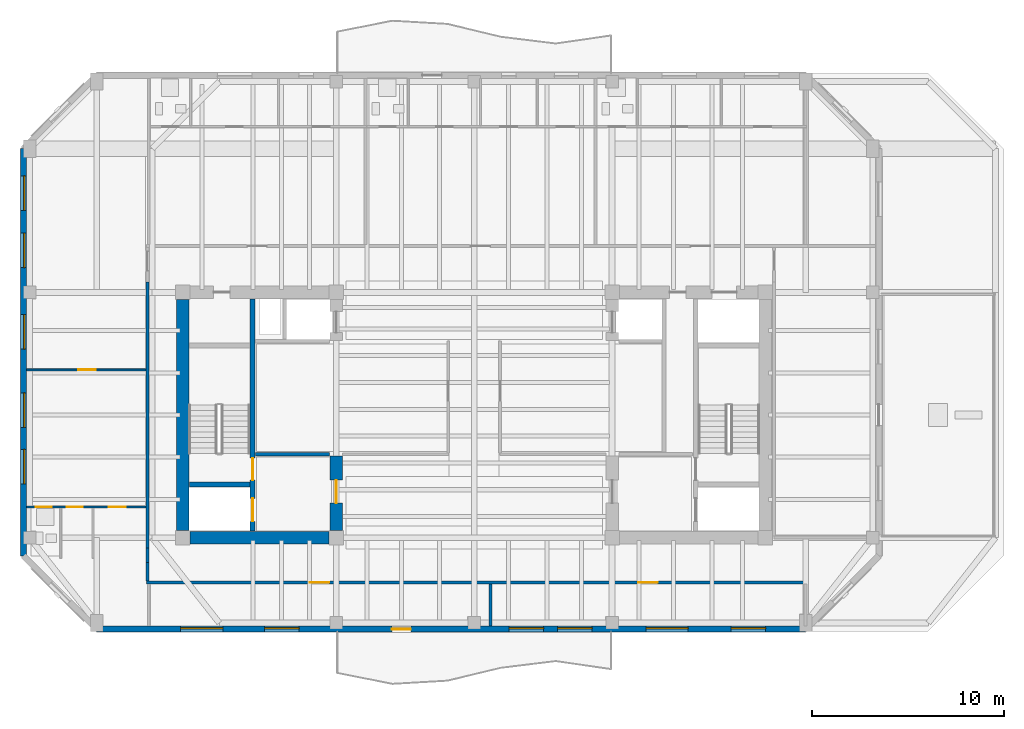
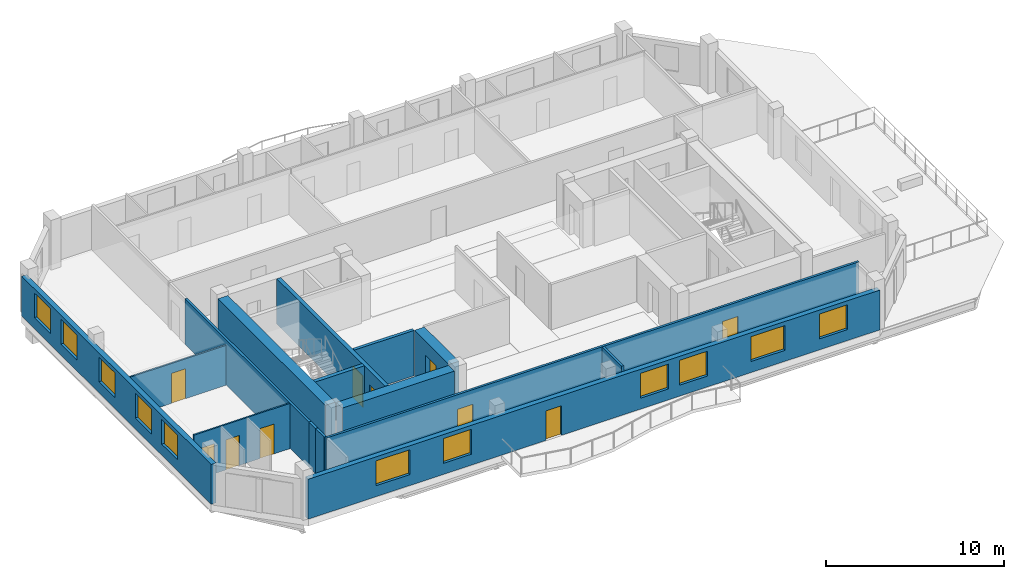
# One storey, part 3 of 10: 15 walls, 11 windows, 10 doors, 21 openings.
"""IFC4 building model written with IfcOpenShell, lengths in metres."""

import ifcopenshell
import ifcopenshell.guid

model = None  # the IFC model being written
_history = None  # IfcOwnerHistory: only IFC2X3 demands one
_inside = {}  # id of a spatial element -> (the spatial element, [elements in it])
_under = {}  # id of a project, library or spatial element -> (it, [spatial elements below it])
_declared = {}  # id of a project -> (the project, [libraries it declares])
_typed = {}  # id of a type object -> (the type object, [elements of that type])
_made_of = {}  # id of a material, layer set ... -> (it, [elements and type objects made of it])


def new_model(schema):
    """Start an empty IFC model of exactly this schema.

    Asked for "IFC4X3", IfcOpenShell would pick the latest addendum, in which some entities
    have other attributes; the version numbers below select the first issue.
    IFC2X3 requires an IfcOwnerHistory on every rooted entity: one is made here for all.
    """
    global model, _history
    if schema == "IFC4X3":
        model = ifcopenshell.file(schema_version=(4, 3, 0, 0))
    else:
        model = ifcopenshell.file(schema=schema)
    _inside.clear()
    _under.clear()
    _declared.clear()
    _typed.clear()
    _made_of.clear()
    _history = None
    if model.schema == "IFC2X3":
        org = make("IfcOrganization", Name="unknown")
        user = make(
            "IfcPersonAndOrganization",
            ThePerson=make("IfcPerson", FamilyName="unknown"),
            TheOrganization=org,
        )
        app = make(
            "IfcApplication",
            ApplicationDeveloper=org,
            Version="unknown",
            ApplicationFullName="unknown",
            ApplicationIdentifier="unknown",
        )
        _history = make(
            "IfcOwnerHistory",
            OwningUser=user,
            OwningApplication=app,
            ChangeAction="ADDED",
            CreationDate=0,
        )
    return model


def make(cls, **values):
    """One entity of the class cls with the attributes given. An attribute that is None is left unset."""
    return model.create_entity(
        cls, **{name: value for name, value in values.items() if value is not None}
    )


def rooted(cls, **values):
    """An entity with a GlobalId (a new one), such as an element, a storey or a relation."""
    return make(cls, GlobalId=ifcopenshell.guid.new(), OwnerHistory=_history, **values)


def si_unit(unit_type, name, prefix=None):
    """IfcSIUnit, for example si_unit("LENGTHUNIT", "METRE", prefix="MILLI")."""
    return make("IfcSIUnit", UnitType=unit_type, Prefix=prefix, Name=name)


def assignment(units):
    """IfcUnitAssignment: the units of a project."""
    return None if units is None else make("IfcUnitAssignment", Units=units)


def point(xyz):
    """IfcCartesianPoint."""
    return None if xyz is None else make("IfcCartesianPoint", Coordinates=xyz)


def direction(xyz):
    """IfcDirection."""
    return None if xyz is None else make("IfcDirection", DirectionRatios=xyz)


def frame(location, z_axis=None, x_axis=None):
    """IfcAxis2Placement3D, a coordinate frame: its origin and axes. An axis left out is left unset."""
    return make(
        "IfcAxis2Placement3D",
        Location=point(location),
        Axis=direction(z_axis),
        RefDirection=direction(x_axis),
    )


def frame_2d(location, x_axis=None):
    """IfcAxis2Placement2D, a coordinate frame in the plane: its origin and x axis."""
    return make(
        "IfcAxis2Placement2D", Location=point(location), RefDirection=direction(x_axis)
    )


def origin():
    """The frame at (0, 0, 0) with its axes left unset."""
    return frame((0.0, 0.0, 0.0))


def place(relative_to, where):
    """IfcLocalPlacement: puts the frame where relative to a parent placement (None: the world)."""
    return make(
        "IfcLocalPlacement", PlacementRelTo=relative_to, RelativePlacement=where
    )


def context(
    kind, dimensions, precision=None, world=None, true_north=None, identifier=None
):
    """IfcGeometricRepresentationContext, for example the 3D "Model" context."""
    return make(
        "IfcGeometricRepresentationContext",
        ContextIdentifier=identifier,
        ContextType=kind,
        CoordinateSpaceDimension=dimensions,
        Precision=precision,
        WorldCoordinateSystem=world,
        TrueNorth=true_north,
    )


def subcontext(parent, identifier, kind, view, scale=None):
    """IfcGeometricRepresentationSubContext, for example "Body" below "Model"."""
    return make(
        "IfcGeometricRepresentationSubContext",
        ContextIdentifier=identifier,
        ContextType=kind,
        ParentContext=parent,
        TargetScale=scale,
        TargetView=view,
    )


def project(units=None, contexts=None):
    """IfcProject with its units and contexts."""
    return rooted(
        "IfcProject",
        Name="project",
        RepresentationContexts=contexts,
        UnitsInContext=assignment(units),
    )


def spatial(cls, under=None, at=None, **own):
    """A site, building, storey or space (cls), placed at a placement, below another one or the project."""
    s = rooted(cls, ObjectPlacement=at, **own)
    if under is not None:
        _under.setdefault(under.id(), (under, []))[1].append(s)
    return s


def profile(cls, at=None, kind="AREA", **sizes):
    """A parametric profile (cls). Its sizes go by their IFC names, for example OverallWidth=200.0."""
    return make(cls, ProfileType=kind, Position=at, **sizes)


def rectangle(**sizes):
    """IfcRectangleProfileDef."""
    return profile("IfcRectangleProfileDef", **sizes)


def extrude(swept, where, along, depth):
    """IfcExtrudedAreaSolid: the profile swept, set in the frame where, extruded along a direction by depth."""
    return make(
        "IfcExtrudedAreaSolid",
        SweptArea=swept,
        Position=where,
        ExtrudedDirection=direction(along),
        Depth=depth,
    )


def shape(context_of_items, identifier, shape_type, items):
    """IfcShapeRepresentation: the items that make up one representation, for example the "Body"."""
    return make(
        "IfcShapeRepresentation",
        ContextOfItems=context_of_items,
        RepresentationIdentifier=identifier,
        RepresentationType=shape_type,
        Items=items,
    )


def material(Name=None, Category=None):
    """IfcMaterial."""
    return make("IfcMaterial", Name=Name, Category=Category)


def layer(
    of_material, thickness, ventilated=None, Name=None, Category=None, Priority=None
):
    """IfcMaterialLayer: one layer of a wall or slab, of a material (None: an air gap)."""
    return make(
        "IfcMaterialLayer",
        Material=of_material,
        LayerThickness=thickness,
        IsVentilated=ventilated,
        Name=Name,
        Category=Category,
        Priority=Priority,
    )


def layer_set(layers, Name=None):
    """IfcMaterialLayerSet."""
    return make("IfcMaterialLayerSet", MaterialLayers=layers, LayerSetName=Name)


def made_of(thing, what):
    """Note that an element or type object is made of a material, layer set ...; save() writes the relation."""
    if what is not None:
        _made_of.setdefault(what.id(), (what, []))[1].append(thing)
    return thing


def type_object(cls, material=None, **own):
    """A type object (cls), such as IfcWallType, which elements share."""
    return made_of(rooted(cls, **own), material)


def element(
    cls,
    number,
    at=None,
    inside=None,
    cuts=None,
    type_object=None,
    material=None,
    context=None,
    identifier="Body",
    shape_type=None,
    held_by="IfcProductDefinitionShape",
    body=None,
    shapes=None,
    **own,
):
    """One element of the class cls, such as IfcWall. Its Tag is "e" and its number.

    at: its placement. inside: the storey or other place that contains it. cuts: it is an
    opening in that element (IfcRelVoidsElement). A single representation is given by context,
    identifier, shape_type and body (its items); several are given by shapes. held_by: the class
    of the entity that holds the representations. save() writes the other relations.
    """
    e = rooted(cls, Tag="e%d" % number, ObjectPlacement=at, **own)
    if body is not None:
        shapes = [shape(context, identifier, shape_type, body)]
    if shapes is not None:
        e.Representation = make(held_by, Representations=shapes)
    if inside is not None:
        _inside.setdefault(inside.id(), (inside, []))[1].append(e)
    if cuts is not None:
        rooted(
            "IfcRelVoidsElement", RelatingBuildingElement=cuts, RelatedOpeningElement=e
        )
    if type_object is not None:
        _typed.setdefault(type_object.id(), (type_object, []))[1].append(e)
    return made_of(e, material)


def fill(opening, filler):
    """IfcRelFillsElement: the door or window that sits in an opening."""
    return rooted(
        "IfcRelFillsElement",
        RelatingOpeningElement=opening,
        RelatedBuildingElement=filler,
    )


def aggregate(whole, parts):
    """IfcRelAggregates: a whole, such as a stair, and the parts it consists of."""
    return rooted("IfcRelAggregates", RelatingObject=whole, RelatedObjects=parts)


def save(model, path):
    """Write the relations noted so far, then the file.

    IfcRelAggregates (storeys below a building ...), IfcRelContainedInSpatialStructure (elements
    in a storey), IfcRelDefinesByType, IfcRelAssociatesMaterial and IfcRelDeclares: one each for
    every whole, place, type object, material and project.
    """
    for whole, parts in _under.values():
        aggregate(whole, parts)
    for where, things in _inside.values():
        rooted(
            "IfcRelContainedInSpatialStructure",
            RelatedElements=things,
            RelatingStructure=where,
        )
    for kind, things in _typed.values():
        rooted("IfcRelDefinesByType", RelatedObjects=things, RelatingType=kind)
    for what, things in _made_of.values():
        rooted("IfcRelAssociatesMaterial", RelatedObjects=things, RelatingMaterial=what)
    for by, libraries in _declared.values():
        rooted("IfcRelDeclares", RelatingContext=by, RelatedDefinitions=libraries)
    model.write(path)


model = new_model("IFC4")

# Units and contexts
model_context = context("Model", 3, precision=1e-05, world=origin(), true_north=direction((0.0, 1.0)))
body_context = subcontext(model_context, "Body", "Model", "MODEL_VIEW")
ifc_project = project(units=[si_unit("LENGTHUNIT", "METRE"), si_unit("AREAUNIT", "SQUARE_METRE"), si_unit("VOLUMEUNIT", "CUBIC_METRE"), si_unit("PLANEANGLEUNIT", "RADIAN"), si_unit("MASSUNIT", "GRAM", prefix="KILO")], contexts=[model_context])

# Site, building, storey
site_placement = place(None, origin())
site = spatial("IfcSite", under=ifc_project, at=site_placement, CompositionType="ELEMENT")
building_placement = place(site_placement, origin())
building = spatial("IfcBuilding", under=site, at=building_placement, Name="Kranthara Brick Stack", CompositionType="ELEMENT")
storey_placement = place(building_placement, frame((0.0, 0.0, 268.699951171875)))
storey = spatial("IfcBuildingStorey", under=building, at=storey_placement, Name="L71", CompositionType="ELEMENT", Elevation=268.699951171875)

# Wall, openings, door, windows
ifc_material_1 = material(Name="Warm buff clay brick masonry M15", Category="masonry")
ifc_layer_1 = layer(ifc_material_1, 0.320068359375)
ifc_layer_set_1 = layer_set([ifc_layer_1], Name="Warm buff clay brick masonry M15")
wall_type_1 = type_object("IfcWallType", Name="WL-BRK-UPPR-320", PredefinedType="STANDARD", material=ifc_layer_set_1)
wall_1_placement = place(storey_placement, frame((45.300048828125, 16.030029296875, 0.0), z_axis=(0.0, 0.0, 1.0), x_axis=(-1.0, 0.0, 0.0)))
wall_1 = element("IfcWall", 1, at=wall_1_placement, inside=storey, type_object=wall_type_1, Name="L71 Exterior Brick Facade Wall SOUTH 1", PredefinedType="STANDARD", context=body_context, shape_type="SweptSolid", body=[
    extrude(rectangle(XDim=37.0, YDim=0.320068359375, at=frame_2d((18.5, 0.0))), origin(), (0.0, 0.0, 1.0), 2.72509765625),
])
opening_1_placement = place(wall_1_placement, frame((20.60009765625, 0.0, 0.0)))
opening_1 = element("IfcOpeningElement", 2, at=opening_1_placement, cuts=wall_1, Name="Opening D03", PredefinedType="OPENING", context=body_context, shape_type="SweptSolid", body=[
    extrude(rectangle(XDim=1.0, YDim=2.02001953125, at=frame_2d((0.5, 1.010009765625))), frame((0.0, 0.169921875, 0.0), z_axis=(0.0, -1.0, 0.0), x_axis=(1.0, 0.0, 0.0)), (0.0, 0.0, 1.0), 0.340087890625),
])
opening_2_placement = place(wall_1_placement, frame((2.093994140625, 0.0, 0.75)))
opening_2 = element("IfcOpeningElement", 3, at=opening_2_placement, cuts=wall_1, Name="Opening WN07", PredefinedType="OPENING", context=body_context, shape_type="SweptSolid", body=[
    extrude(rectangle(XDim=1.800048828125, YDim=1.699951171875, at=frame_2d((0.89990234375, 0.85009765625))), frame((0.0, 0.169921875, 0.0), z_axis=(0.0, -1.0, 0.0), x_axis=(1.0, 0.0, 0.0)), (0.0, 0.0, 1.0), 0.340087890625),
])
opening_3_placement = place(wall_1_placement, frame((6.1298828125, 0.0, 0.75)))
opening_3 = element("IfcOpeningElement", 4, at=opening_3_placement, cuts=wall_1, Name="Opening WN08", PredefinedType="OPENING", context=body_context, shape_type="SweptSolid", body=[
    extrude(rectangle(XDim=2.199951171875, YDim=1.699951171875, at=frame_2d((1.10009765625, 0.85009765625))), frame((0.0, 0.169921875, 0.0), z_axis=(0.0, -1.0, 0.0), x_axis=(1.0, 0.0, 0.0)), (0.0, 0.0, 1.0), 0.340087890625),
])
opening_4_placement = place(wall_1_placement, frame((11.14794921875, 0.0, 0.75)))
opening_4 = element("IfcOpeningElement", 5, at=opening_4_placement, cuts=wall_1, Name="Opening WN07", PredefinedType="OPENING", context=body_context, shape_type="SweptSolid", body=[
    extrude(rectangle(XDim=1.800048828125, YDim=1.699951171875, at=frame_2d((0.89990234375, 0.85009765625))), frame((0.0, 0.169921875, 0.0), z_axis=(0.0, -1.0, 0.0), x_axis=(1.0, 0.0, 0.0)), (0.0, 0.0, 1.0), 0.340087890625),
])
opening_5_placement = place(wall_1_placement, frame((13.680908203125, 0.0, 0.75)))
opening_5 = element("IfcOpeningElement", 6, at=opening_5_placement, cuts=wall_1, Name="Opening WN07", PredefinedType="OPENING", context=body_context, shape_type="SweptSolid", body=[
    extrude(rectangle(XDim=1.800048828125, YDim=1.699951171875, at=frame_2d((0.89990234375, 0.85009765625))), frame((0.0, 0.169921875, 0.0), z_axis=(0.0, -1.0, 0.0), x_axis=(1.0, 0.0, 0.0)), (0.0, 0.0, 1.0), 0.340087890625),
])
opening_6_placement = place(wall_1_placement, frame((26.43798828125, 0.0, 0.75)))
opening_6 = element("IfcOpeningElement", 7, at=opening_6_placement, cuts=wall_1, Name="Opening WN07", PredefinedType="OPENING", context=body_context, shape_type="SweptSolid", body=[
    extrude(rectangle(XDim=1.800048828125, YDim=1.699951171875, at=frame_2d((0.89990234375, 0.85009765625))), frame((0.0, 0.169921875, 0.0), z_axis=(0.0, -1.0, 0.0), x_axis=(1.0, 0.0, 0.0)), (0.0, 0.0, 1.0), 0.340087890625),
])
opening_7_placement = place(wall_1_placement, frame((30.4169921875, 0.0, 0.75)))
opening_7 = element("IfcOpeningElement", 8, at=opening_7_placement, cuts=wall_1, Name="Opening WN08", PredefinedType="OPENING", context=body_context, shape_type="SweptSolid", body=[
    extrude(rectangle(XDim=2.199951171875, YDim=1.699951171875, at=frame_2d((1.10009765625, 0.85009765625))), frame((0.0, 0.169921875, 0.0), z_axis=(0.0, -1.0, 0.0), x_axis=(1.0, 0.0, 0.0)), (0.0, 0.0, 1.0), 0.340087890625),
])
ifc_material_2 = material(Name="Bronze anodised aluminium and laminated glass", Category="aluminium")
door_type_1 = type_object("IfcDoorType", Name="DR-BALC-1000", OperationType="NOTDEFINED", PredefinedType="DOOR", material=ifc_material_2)
door_1_placement = place(opening_1_placement, origin())
door_1 = element("IfcDoor", 9, at=door_1_placement, inside=storey, type_object=door_type_1, Name="L71 South Balcony Terrace Door", OperationType="SINGLE_SWING_LEFT", OverallHeight=2.02001953125, OverallWidth=1.0, PredefinedType="DOOR", context=body_context, shape_type="SweptSolid", body=[
    extrude(rectangle(XDim=1.0, YDim=2.02001953125, at=frame_2d((0.5, 1.010009765625))), frame((0.0, 0.02490234375, 0.0), z_axis=(0.0, -1.0, 0.0), x_axis=(1.0, 0.0, 0.0)), (0.0, 0.0, 1.0), 0.050048828125),
])
fill(opening_1, door_1)
ifc_material_3 = material(Name="Double-glazed low-E solar control glass", Category="glass")
window_type_1 = type_object("IfcWindowType", Name="WN-RES-1800x1850", PartitioningType="DOUBLE_PANEL_VERTICAL", PredefinedType="WINDOW", material=ifc_material_3)
window_1_placement = place(opening_2_placement, origin())
window_1 = element("IfcWindow", 10, at=window_1_placement, inside=storey, type_object=window_type_1, Name="L71 South Deep-Set Brick Window 01", OverallHeight=1.699951171875, OverallWidth=1.800048828125, PartitioningType="SINGLE_PANEL", PredefinedType="WINDOW", context=body_context, shape_type="SweptSolid", body=[
    extrude(rectangle(XDim=1.800048828125, YDim=1.699951171875, at=frame_2d((0.89990234375, 0.85009765625))), frame((0.0, -0.010009765625, 0.0), z_axis=(0.0, -1.0, 0.0), x_axis=(1.0, 0.0, 0.0)), (0.0, 0.0, 1.0), 0.06005859375),
])
fill(opening_2, window_1)
window_2_placement = place(opening_4_placement, origin())
window_2 = element("IfcWindow", 11, at=window_2_placement, inside=storey, type_object=window_type_1, Name="L71 South Deep-Set Brick Window 03", OverallHeight=1.699951171875, OverallWidth=1.800048828125, PartitioningType="SINGLE_PANEL", PredefinedType="WINDOW", context=body_context, shape_type="SweptSolid", body=[
    extrude(rectangle(XDim=1.800048828125, YDim=1.699951171875, at=frame_2d((0.89990234375, 0.85009765625))), frame((0.0, -0.010009765625, 0.0), z_axis=(0.0, -1.0, 0.0), x_axis=(1.0, 0.0, 0.0)), (0.0, 0.0, 1.0), 0.06005859375),
])
fill(opening_4, window_2)
window_3_placement = place(opening_5_placement, origin())
window_3 = element("IfcWindow", 12, at=window_3_placement, inside=storey, type_object=window_type_1, Name="L71 South Deep-Set Brick Window 04", OverallHeight=1.699951171875, OverallWidth=1.800048828125, PartitioningType="SINGLE_PANEL", PredefinedType="WINDOW", context=body_context, shape_type="SweptSolid", body=[
    extrude(rectangle(XDim=1.800048828125, YDim=1.699951171875, at=frame_2d((0.89990234375, 0.85009765625))), frame((0.0, -0.010009765625, 0.0), z_axis=(0.0, -1.0, 0.0), x_axis=(1.0, 0.0, 0.0)), (0.0, 0.0, 1.0), 0.06005859375),
])
fill(opening_5, window_3)
window_4_placement = place(opening_6_placement, origin())
window_4 = element("IfcWindow", 13, at=window_4_placement, inside=storey, type_object=window_type_1, Name="L71 South Deep-Set Brick Window 05", OverallHeight=1.699951171875, OverallWidth=1.800048828125, PartitioningType="SINGLE_PANEL", PredefinedType="WINDOW", context=body_context, shape_type="SweptSolid", body=[
    extrude(rectangle(XDim=1.800048828125, YDim=1.699951171875, at=frame_2d((0.89990234375, 0.85009765625))), frame((0.0, -0.010009765625, 0.0), z_axis=(0.0, -1.0, 0.0), x_axis=(1.0, 0.0, 0.0)), (0.0, 0.0, 1.0), 0.06005859375),
])
fill(opening_6, window_4)
ifc_material_4 = material(Name="Double-glazed low-E solar control glass", Category="glass")
window_type_2 = type_object("IfcWindowType", Name="WN-RES-2200x1850", PartitioningType="TRIPLE_PANEL_VERTICAL", PredefinedType="WINDOW", material=ifc_material_4)
window_5_placement = place(opening_3_placement, origin())
window_5 = element("IfcWindow", 14, at=window_5_placement, inside=storey, type_object=window_type_2, Name="L71 South Deep-Set Brick Window 02", OverallHeight=1.699951171875, OverallWidth=2.199951171875, PartitioningType="SINGLE_PANEL", PredefinedType="WINDOW", context=body_context, shape_type="SweptSolid", body=[
    extrude(rectangle(XDim=2.199951171875, YDim=1.699951171875, at=frame_2d((1.10009765625, 0.85009765625))), frame((0.0, -0.010009765625, 0.0), z_axis=(0.0, -1.0, 0.0), x_axis=(1.0, 0.0, 0.0)), (0.0, 0.0, 1.0), 0.06005859375),
])
fill(opening_3, window_5)
window_6_placement = place(opening_7_placement, origin())
window_6 = element("IfcWindow", 15, at=window_6_placement, inside=storey, type_object=window_type_2, Name="L71 South Deep-Set Brick Window 06", OverallHeight=1.699951171875, OverallWidth=2.199951171875, PartitioningType="SINGLE_PANEL", PredefinedType="WINDOW", context=body_context, shape_type="SweptSolid", body=[
    extrude(rectangle(XDim=2.199951171875, YDim=1.699951171875, at=frame_2d((1.10009765625, 0.85009765625))), frame((0.0, -0.010009765625, 0.0), z_axis=(0.0, -1.0, 0.0), x_axis=(1.0, 0.0, 0.0)), (0.0, 0.0, 1.0), 0.06005859375),
])
fill(opening_7, window_6)

# Wall, openings, windows
wall_2_placement = place(storey_placement, frame((4.47998046875, 19.85009765625, 0.0), z_axis=(0.0, 0.0, 1.0), x_axis=(0.0, 1.0, 0.0)))
wall_2 = element("IfcWall", 16, at=wall_2_placement, inside=storey, type_object=wall_type_1, Name="L71 Exterior Brick Facade Wall WEST 1", PredefinedType="STANDARD", context=body_context, shape_type="SweptSolid", body=[
    extrude(rectangle(XDim=21.25, YDim=0.320068359375, at=frame_2d((10.625, 0.0))), origin(), (0.0, 0.0, 1.0), 2.72509765625),
])
opening_8_placement = place(wall_2_placement, frame((3.7509765625, 0.0, 0.75)))
opening_8 = element("IfcOpeningElement", 17, at=opening_8_placement, cuts=wall_2, Name="Opening WN07", PredefinedType="OPENING", context=body_context, shape_type="SweptSolid", body=[
    extrude(rectangle(XDim=1.800048828125, YDim=1.699951171875, at=frame_2d((0.89990234375, 0.85009765625))), frame((0.0, 0.169921875, 0.0), z_axis=(0.0, -1.0, 0.0), x_axis=(1.0, 0.0, 0.0)), (0.0, 0.0, 1.0), 0.340087890625),
])
opening_9_placement = place(wall_2_placement, frame((6.705078125, 0.0, 0.75)))
opening_9 = element("IfcOpeningElement", 18, at=opening_9_placement, cuts=wall_2, Name="Opening WN07", PredefinedType="OPENING", context=body_context, shape_type="SweptSolid", body=[
    extrude(rectangle(XDim=1.800048828125, YDim=1.699951171875, at=frame_2d((0.89990234375, 0.85009765625))), frame((0.0, 0.169921875, 0.0), z_axis=(0.0, -1.0, 0.0), x_axis=(1.0, 0.0, 0.0)), (0.0, 0.0, 1.0), 0.340087890625),
])
opening_10_placement = place(wall_2_placement, frame((10.7900390625, 0.0, 0.75)))
opening_10 = element("IfcOpeningElement", 19, at=opening_10_placement, cuts=wall_2, Name="Opening WN07", PredefinedType="OPENING", context=body_context, shape_type="SweptSolid", body=[
    extrude(rectangle(XDim=1.800048828125, YDim=1.699951171875, at=frame_2d((0.89990234375, 0.85009765625))), frame((0.0, 0.169921875, 0.0), z_axis=(0.0, -1.0, 0.0), x_axis=(1.0, 0.0, 0.0)), (0.0, 0.0, 1.0), 0.340087890625),
])
opening_11_placement = place(wall_2_placement, frame((15.04296875, 0.0, 0.75)))
opening_11 = element("IfcOpeningElement", 20, at=opening_11_placement, cuts=wall_2, Name="Opening WN07", PredefinedType="OPENING", context=body_context, shape_type="SweptSolid", body=[
    extrude(rectangle(XDim=1.800048828125, YDim=1.699951171875, at=frame_2d((0.89990234375, 0.85009765625))), frame((0.0, 0.169921875, 0.0), z_axis=(0.0, -1.0, 0.0), x_axis=(1.0, 0.0, 0.0)), (0.0, 0.0, 1.0), 0.340087890625),
])
opening_12_placement = place(wall_2_placement, frame((18.031982421875, 0.0, 0.75)))
opening_12 = element("IfcOpeningElement", 21, at=opening_12_placement, cuts=wall_2, Name="Opening WN07", PredefinedType="OPENING", context=body_context, shape_type="SweptSolid", body=[
    extrude(rectangle(XDim=1.800048828125, YDim=1.699951171875, at=frame_2d((0.89990234375, 0.85009765625))), frame((0.0, 0.169921875, 0.0), z_axis=(0.0, -1.0, 0.0), x_axis=(1.0, 0.0, 0.0)), (0.0, 0.0, 1.0), 0.340087890625),
])
window_7_placement = place(opening_8_placement, origin())
window_7 = element("IfcWindow", 22, at=window_7_placement, inside=storey, type_object=window_type_1, Name="L71 West Deep-Set Brick Window 01", OverallHeight=1.699951171875, OverallWidth=1.800048828125, PartitioningType="SINGLE_PANEL", PredefinedType="WINDOW", context=body_context, shape_type="SweptSolid", body=[
    extrude(rectangle(XDim=1.800048828125, YDim=1.699951171875, at=frame_2d((0.89990234375, 0.85009765625))), frame((0.0, -0.010009765625, 0.0), z_axis=(0.0, -1.0, 0.0), x_axis=(1.0, 0.0, 0.0)), (0.0, 0.0, 1.0), 0.06005859375),
])
fill(opening_8, window_7)
window_8_placement = place(opening_9_placement, origin())
window_8 = element("IfcWindow", 23, at=window_8_placement, inside=storey, type_object=window_type_1, Name="L71 West Deep-Set Brick Window 02", OverallHeight=1.699951171875, OverallWidth=1.800048828125, PartitioningType="SINGLE_PANEL", PredefinedType="WINDOW", context=body_context, shape_type="SweptSolid", body=[
    extrude(rectangle(XDim=1.800048828125, YDim=1.699951171875, at=frame_2d((0.89990234375, 0.85009765625))), frame((0.0, -0.010009765625, 0.0), z_axis=(0.0, -1.0, 0.0), x_axis=(1.0, 0.0, 0.0)), (0.0, 0.0, 1.0), 0.06005859375),
])
fill(opening_9, window_8)
window_9_placement = place(opening_10_placement, origin())
window_9 = element("IfcWindow", 24, at=window_9_placement, inside=storey, type_object=window_type_1, Name="L71 West Deep-Set Brick Window 03", OverallHeight=1.699951171875, OverallWidth=1.800048828125, PartitioningType="SINGLE_PANEL", PredefinedType="WINDOW", context=body_context, shape_type="SweptSolid", body=[
    extrude(rectangle(XDim=1.800048828125, YDim=1.699951171875, at=frame_2d((0.89990234375, 0.85009765625))), frame((0.0, -0.010009765625, 0.0), z_axis=(0.0, -1.0, 0.0), x_axis=(1.0, 0.0, 0.0)), (0.0, 0.0, 1.0), 0.06005859375),
])
fill(opening_10, window_9)
window_10_placement = place(opening_11_placement, origin())
window_10 = element("IfcWindow", 25, at=window_10_placement, inside=storey, type_object=window_type_1, Name="L71 West Deep-Set Brick Window 04", OverallHeight=1.699951171875, OverallWidth=1.800048828125, PartitioningType="SINGLE_PANEL", PredefinedType="WINDOW", context=body_context, shape_type="SweptSolid", body=[
    extrude(rectangle(XDim=1.800048828125, YDim=1.699951171875, at=frame_2d((0.89990234375, 0.85009765625))), frame((0.0, -0.010009765625, 0.0), z_axis=(0.0, -1.0, 0.0), x_axis=(1.0, 0.0, 0.0)), (0.0, 0.0, 1.0), 0.06005859375),
])
fill(opening_11, window_10)
window_11_placement = place(opening_12_placement, origin())
window_11 = element("IfcWindow", 26, at=window_11_placement, inside=storey, type_object=window_type_1, Name="L71 West Deep-Set Brick Window 05", OverallHeight=1.699951171875, OverallWidth=1.800048828125, PartitioningType="SINGLE_PANEL", PredefinedType="WINDOW", context=body_context, shape_type="SweptSolid", body=[
    extrude(rectangle(XDim=1.800048828125, YDim=1.699951171875, at=frame_2d((0.89990234375, 0.85009765625))), frame((0.0, -0.010009765625, 0.0), z_axis=(0.0, -1.0, 0.0), x_axis=(1.0, 0.0, 0.0)), (0.0, 0.0, 1.0), 0.06005859375),
])
fill(opening_12, window_11)

# Wall, openings, doors
ifc_material_5 = material(Name="Concrete C50/60", Category="concrete")
ifc_layer_2 = layer(ifc_material_5, 0.25)
ifc_layer_set_2 = layer_set([ifc_layer_2], Name="Concrete C50/60")
wall_type_2 = type_object("IfcWallType", Name="WL-CORE-250", PredefinedType="SHEAR", material=ifc_layer_set_2)
wall_3_placement = place(storey_placement, frame((16.43505859375, 21.135009765625, 0.0), z_axis=(0.0, 0.0, 1.0), x_axis=(0.0, 1.0, 0.0)))
wall_3 = element("IfcWall", 27, at=wall_3_placement, inside=storey, type_object=wall_type_2, Name="L71 West Core Stair Bearing Spine Wall", PredefinedType="SHEAR", context=body_context, shape_type="SweptSolid", body=[
    extrude(rectangle(XDim=12.1298828125, YDim=0.25, at=frame_2d((6.06494140625, 0.0))), origin(), (0.0, 0.0, 1.0), 3.10009765625),
])
opening_13_placement = place(wall_3_placement, frame((0.514892578125, 0.0, 0.0)))
opening_13 = element("IfcOpeningElement", 28, at=opening_13_placement, cuts=wall_3, Name="Opening LD01", PredefinedType="OPENING", context=body_context, shape_type="SweptSolid", body=[
    extrude(rectangle(XDim=1.199951171875, YDim=2.14990234375, at=frame_2d((0.60009765625, 1.074951171875))), frame((0.0, 0.135009765625, 0.0), z_axis=(0.0, -1.0, 0.0), x_axis=(1.0, 0.0, 0.0)), (0.0, 0.0, 1.0), 0.27001953125),
])
opening_14_placement = place(wall_3_placement, frame((2.6650390625, 0.0, 0.0)))
opening_14 = element("IfcOpeningElement", 29, at=opening_14_placement, cuts=wall_3, Name="Opening D05", PredefinedType="OPENING", context=body_context, shape_type="SweptSolid", body=[
    extrude(rectangle(XDim=1.14990234375, YDim=2.14990234375, at=frame_2d((0.574951171875, 1.074951171875))), frame((0.0, 0.135009765625, 0.0), z_axis=(0.0, -1.0, 0.0), x_axis=(1.0, 0.0, 0.0)), (0.0, 0.0, 1.0), 0.27001953125),
])
ifc_material_6 = material(Name="Stainless steel sliding landing door", Category="steel")
door_type_2 = type_object("IfcDoorType", Name="DR-LD-FF1200", OperationType="DOUBLE_DOOR_SLIDING", PredefinedType="DOOR", material=ifc_material_6)
door_2_placement = place(opening_13_placement, origin())
door_2 = element("IfcDoor", 30, at=door_2_placement, inside=storey, type_object=door_type_2, Name="L71 Firefighting Lift FF-01 Landing Door", OperationType="DOUBLE_DOOR_SLIDING", OverallHeight=2.14990234375, OverallWidth=1.199951171875, PredefinedType="DOOR", context=body_context, shape_type="SweptSolid", body=[
    extrude(rectangle(XDim=1.199951171875, YDim=2.14990234375, at=frame_2d((0.60009765625, 1.074951171875))), frame((0.0, 0.02490234375, 0.0), z_axis=(0.0, -1.0, 0.0), x_axis=(1.0, 0.0, 0.0)), (0.0, 0.0, 1.0), 0.050048828125),
])
fill(opening_13, door_2)
ifc_material_7 = material(Name="Solid-core hardwood timber leaf in steel frame", Category="steel")
door_type_3 = type_object("IfcDoorType", Name="DR-ST-1150", OperationType="NOTDEFINED", PredefinedType="DOOR", material=ifc_material_7)
door_3_placement = place(opening_14_placement, origin())
door_3 = element("IfcDoor", 31, at=door_3_placement, inside=storey, type_object=door_type_3, Name="L71 Exit Stair ST01 Door", OperationType="SINGLE_SWING_RIGHT", OverallHeight=2.14990234375, OverallWidth=1.14990234375, PredefinedType="DOOR", context=body_context, shape_type="SweptSolid", body=[
    extrude(rectangle(XDim=1.14990234375, YDim=2.14990234375, at=frame_2d((0.574951171875, 1.074951171875))), frame((0.0, 0.02490234375, 0.0), z_axis=(0.0, -1.0, 0.0), x_axis=(1.0, 0.0, 0.0)), (0.0, 0.0, 1.0), 0.050048828125),
])
fill(opening_14, door_3)

# Walls
wall_4_placement = place(storey_placement, frame((13.135009765625, 23.570068359375, 0.0), z_axis=(0.0, 0.0, 1.0), x_axis=(1.0, 0.0, 0.0)))
element("IfcWall", 32, at=wall_4_placement, inside=storey, type_object=wall_type_2, Name="L71 West Stairwell Bearing Wall WFF", PredefinedType="SHEAR", context=body_context, shape_type="SweptSolid", body=[
    extrude(rectangle(XDim=3.175048828125, YDim=0.25, at=frame_2d((1.58740234375, 0.0))), origin(), (0.0, 0.0, 1.0), 3.10009765625),
])
ifc_material_8 = material(Name="Concrete C60/75", Category="concrete")
ifc_layer_3 = layer(ifc_material_8, 0.64990234375)
ifc_layer_set_3 = layer_set([ifc_layer_3], Name="Concrete C60/75")
wall_type_3 = type_object("IfcWallType", Name="WL-CORE-650", PredefinedType="SHEAR", material=ifc_layer_set_3)
wall_5_placement = place(storey_placement, frame((12.800048828125, 21.179931640625, 0.0), z_axis=(0.0, 0.0, 1.0), x_axis=(0.0, 1.0, 0.0)))
element("IfcWall", 33, at=wall_5_placement, inside=storey, type_object=wall_type_3, Name="L71 West Core Shear Wall West", PredefinedType="SHEAR", context=body_context, shape_type="SweptSolid", body=[
    extrude(rectangle(XDim=12.0400390625, YDim=0.64990234375, at=frame_2d((6.02001953125, 0.0))), origin(), (0.0, 0.0, 1.0), 3.10009765625),
])
wall_6_placement = place(storey_placement, frame((13.179931640625, 20.800048828125, 0.0), z_axis=(0.0, 0.0, 1.0), x_axis=(1.0, 0.0, 0.0)))
element("IfcWall", 34, at=wall_6_placement, inside=storey, type_object=wall_type_3, Name="L71 West Core Shear Wall South", PredefinedType="SHEAR", context=body_context, shape_type="SweptSolid", body=[
    extrude(rectangle(XDim=7.239990234375, YDim=0.64990234375, at=frame_2d((3.6201171875, 0.0))), origin(), (0.0, 0.0, 1.0), 3.10009765625),
])

# Wall, opening, door
wall_7_placement = place(storey_placement, frame((20.800048828125, 21.179931640625, 0.0), z_axis=(0.0, 0.0, 1.0), x_axis=(0.0, 1.0, 0.0)))
wall_7 = element("IfcWall", 35, at=wall_7_placement, inside=storey, type_object=wall_type_3, Name="L71 West Core Lobby Shear Wall", PredefinedType="SHEAR", context=body_context, shape_type="SweptSolid", body=[
    extrude(rectangle(XDim=3.8701171875, YDim=0.64990234375, at=frame_2d((1.93505859375, 0.0))), origin(), (0.0, 0.0, 1.0), 3.10009765625),
])
opening_15_placement = place(wall_7_placement, frame((1.419921875, 0.0, 0.0)))
opening_15 = element("IfcOpeningElement", 36, at=opening_15_placement, cuts=wall_7, Name="Opening D06", PredefinedType="OPENING", context=body_context, shape_type="SweptSolid", body=[
    extrude(rectangle(XDim=1.199951171875, YDim=2.14990234375, at=frame_2d((0.60009765625, 1.074951171875))), frame((0.0, 0.3349609375, 0.0), z_axis=(0.0, -1.0, 0.0), x_axis=(1.0, 0.0, 0.0)), (0.0, 0.0, 1.0), 0.669921875),
])
ifc_material_9 = material(Name="Solid-core hardwood timber leaf in steel frame", Category="steel")
door_type_4 = type_object("IfcDoorType", Name="DR-FFL-1200", OperationType="NOTDEFINED", PredefinedType="DOOR", material=ifc_material_9)
door_4_placement = place(opening_15_placement, origin())
door_4 = element("IfcDoor", 37, at=door_4_placement, inside=storey, type_object=door_type_4, Name="L71 West Firefighting Lobby Door", OperationType="SINGLE_SWING_LEFT", OverallHeight=2.14990234375, OverallWidth=1.199951171875, PredefinedType="DOOR", context=body_context, shape_type="SweptSolid", body=[
    extrude(rectangle(XDim=1.199951171875, YDim=2.14990234375, at=frame_2d((0.60009765625, 1.074951171875))), frame((0.0, 0.02490234375, 0.0), z_axis=(0.0, -1.0, 0.0), x_axis=(1.0, 0.0, 0.0)), (0.0, 0.0, 1.0), 0.050048828125),
])
fill(opening_15, door_4)

# Wall, openings, doors
ifc_material_10 = material(Name="Moisture-resistant wet-room partition", Category="other")
ifc_layer_4 = layer(ifc_material_10, 0.10009765625)
ifc_layer_set_4 = layer_set([ifc_layer_4], Name="Moisture-resistant wet-room partition")
wall_type_4 = type_object("IfcWallType", Name="WL-PART-100", PredefinedType="PARTITIONING", material=ifc_layer_set_4)
wall_8_placement = place(storey_placement, frame((4.64501953125, 22.39990234375, 0.0), z_axis=(0.0, 0.0, 1.0), x_axis=(1.0, 0.0, 0.0)))
wall_8 = element("IfcWall", 38, at=wall_8_placement, inside=storey, type_object=wall_type_4, Name="L71 Interior Partition 029", PredefinedType="PARTITIONING", context=body_context, shape_type="SweptSolid", body=[
    extrude(rectangle(XDim=6.22509765625, YDim=0.10009765625, at=frame_2d((3.112548828125, 0.0))), origin(), (0.0, 0.0, 1.0), 3.10009765625),
])
opening_16_placement = place(wall_8_placement, frame((0.471923828125, 0.0, 0.0)))
opening_16 = element("IfcOpeningElement", 39, at=opening_16_placement, cuts=wall_8, Name="Opening D17", PredefinedType="OPENING", context=body_context, shape_type="SweptSolid", body=[
    extrude(rectangle(XDim=0.85009765625, YDim=2.050048828125, at=frame_2d((0.425048828125, 1.02490234375))), frame((0.0, 0.06005859375, 0.0), z_axis=(0.0, -1.0, 0.0), x_axis=(1.0, 0.0, 0.0)), (0.0, 0.0, 1.0), 0.1201171875),
])
opening_17_placement = place(wall_8_placement, frame((2.092041015625, 0.0, 0.0)))
opening_17 = element("IfcOpeningElement", 40, at=opening_17_placement, cuts=wall_8, Name="Opening D16", PredefinedType="OPENING", context=body_context, shape_type="SweptSolid", body=[
    extrude(rectangle(XDim=0.85009765625, YDim=2.050048828125, at=frame_2d((0.425048828125, 1.02490234375))), frame((0.0, 0.06005859375, 0.0), z_axis=(0.0, -1.0, 0.0), x_axis=(1.0, 0.0, 0.0)), (0.0, 0.0, 1.0), 0.1201171875),
])
opening_18_placement = place(wall_8_placement, frame((4.284912109375, 0.0, 0.0)))
opening_18 = element("IfcOpeningElement", 41, at=opening_18_placement, cuts=wall_8, Name="Opening D15", PredefinedType="OPENING", context=body_context, shape_type="SweptSolid", body=[
    extrude(rectangle(XDim=0.89990234375, YDim=2.050048828125, at=frame_2d((0.449951171875, 1.02490234375))), frame((0.0, 0.06005859375, 0.0), z_axis=(0.0, -1.0, 0.0), x_axis=(1.0, 0.0, 0.0)), (0.0, 0.0, 1.0), 0.1201171875),
])
ifc_material_11 = material(Name="Solid-core hardwood timber leaf in steel frame", Category="steel")
door_type_5 = type_object("IfcDoorType", Name="DR-INT-850", OperationType="NOTDEFINED", PredefinedType="DOOR", material=ifc_material_11)
door_5_placement = place(opening_17_placement, origin())
door_5 = element("IfcDoor", 42, at=door_5_placement, inside=storey, type_object=door_type_5, Name="L71 Unit L71D Kitchen 21", OperationType="SINGLE_SWING_LEFT", OverallHeight=2.050048828125, OverallWidth=0.85009765625, PredefinedType="DOOR", context=body_context, shape_type="SweptSolid", body=[
    extrude(rectangle(XDim=0.85009765625, YDim=2.050048828125, at=frame_2d((0.425048828125, 1.02490234375))), frame((0.0, 0.02490234375, 0.0), z_axis=(0.0, -1.0, 0.0), x_axis=(1.0, 0.0, 0.0)), (0.0, 0.0, 1.0), 0.050048828125),
])
fill(opening_17, door_5)
ifc_material_12 = material(Name="Solid-core hardwood timber leaf in steel frame", Category="steel")
door_type_6 = type_object("IfcDoorType", Name="DR-INT-900", OperationType="NOTDEFINED", PredefinedType="DOOR", material=ifc_material_12)
door_6_placement = place(opening_18_placement, origin())
door_6 = element("IfcDoor", 43, at=door_6_placement, inside=storey, type_object=door_type_6, Name="L71 Unit L71D Bedroom 22", OperationType="SINGLE_SWING_RIGHT", OverallHeight=2.050048828125, OverallWidth=0.89990234375, PredefinedType="DOOR", context=body_context, shape_type="SweptSolid", body=[
    extrude(rectangle(XDim=0.89990234375, YDim=2.050048828125, at=frame_2d((0.449951171875, 1.02490234375))), frame((0.0, 0.02490234375, 0.0), z_axis=(0.0, -1.0, 0.0), x_axis=(1.0, 0.0, 0.0)), (0.0, 0.0, 1.0), 0.050048828125),
])
fill(opening_18, door_6)
ifc_material_13 = material(Name="Solid-core hardwood timber leaf in steel frame", Category="steel")
door_type_7 = type_object("IfcDoorType", Name="DR-WET-850", OperationType="NOTDEFINED", PredefinedType="DOOR", material=ifc_material_13)
door_7_placement = place(opening_16_placement, origin())
door_7 = element("IfcDoor", 44, at=door_7_placement, inside=storey, type_object=door_type_7, Name="L71 Unit L71D Bathroom 20", OperationType="SINGLE_SWING_RIGHT", OverallHeight=2.050048828125, OverallWidth=0.85009765625, PredefinedType="DOOR", context=body_context, shape_type="SweptSolid", body=[
    extrude(rectangle(XDim=0.85009765625, YDim=2.050048828125, at=frame_2d((0.425048828125, 1.02490234375))), frame((0.0, 0.02490234375, 0.0), z_axis=(0.0, -1.0, 0.0), x_axis=(1.0, 0.0, 0.0)), (0.0, 0.0, 1.0), 0.050048828125),
])
fill(opening_16, door_7)

# Wall, opening, door
wall_9_placement = place(storey_placement, frame((4.64501953125, 29.555908203125, 0.0), z_axis=(0.0, 0.0, 1.0), x_axis=(1.0, 0.0, 0.0)))
wall_9 = element("IfcWall", 45, at=wall_9_placement, inside=storey, type_object=wall_type_4, Name="L71 Interior Partition 030", PredefinedType="PARTITIONING", context=body_context, shape_type="SweptSolid", body=[
    extrude(rectangle(XDim=6.22509765625, YDim=0.10009765625, at=frame_2d((3.112548828125, 0.0))), origin(), (0.0, 0.0, 1.0), 2.72509765625),
])
opening_19_placement = place(wall_9_placement, frame((2.696044921875, 0.0, 0.0)))
opening_19 = element("IfcOpeningElement", 46, at=opening_19_placement, cuts=wall_9, Name="Opening D15", PredefinedType="OPENING", context=body_context, shape_type="SweptSolid", body=[
    extrude(rectangle(XDim=0.89990234375, YDim=2.050048828125, at=frame_2d((0.449951171875, 1.02490234375))), frame((0.0, 0.06005859375, 0.0), z_axis=(0.0, -1.0, 0.0), x_axis=(1.0, 0.0, 0.0)), (0.0, 0.0, 1.0), 0.1201171875),
])
door_8_placement = place(opening_19_placement, origin())
door_8 = element("IfcDoor", 47, at=door_8_placement, inside=storey, type_object=door_type_6, Name="L71 Unit L71D Study 19", OperationType="SINGLE_SWING_LEFT", OverallHeight=2.050048828125, OverallWidth=0.89990234375, PredefinedType="DOOR", context=body_context, shape_type="SweptSolid", body=[
    extrude(rectangle(XDim=0.89990234375, YDim=2.050048828125, at=frame_2d((0.449951171875, 1.02490234375))), frame((0.0, 0.02490234375, 0.0), z_axis=(0.0, -1.0, 0.0), x_axis=(1.0, 0.0, 0.0)), (0.0, 0.0, 1.0), 0.050048828125),
])
fill(opening_19, door_8)

# Wall, openings, doors
ifc_material_14 = material(Name="Fire-rated gypsum board partition", Category="other")
ifc_layer_5 = layer(ifc_material_14, 0.14990234375)
ifc_layer_set_5 = layer_set([ifc_layer_5], Name="Fire-rated gypsum board partition")
wall_type_5 = type_object("IfcWallType", Name="WL-PART-150", PredefinedType="PARTITIONING", material=ifc_layer_set_5)
wall_10_placement = place(storey_placement, frame((10.89990234375, 18.4599609375, 0.0), z_axis=(0.0, 0.0, 1.0), x_axis=(1.0, 0.0, 0.0)))
wall_10 = element("IfcWall", 48, at=wall_10_placement, inside=storey, type_object=wall_type_5, Name="L71 Interior Partition 005", PredefinedType="PARTITIONING", context=body_context, shape_type="SweptSolid", body=[
    extrude(rectangle(XDim=34.52001953125, YDim=0.14990234375, at=frame_2d((17.260009765625, 0.0))), origin(), (0.0, 0.0, 1.0), 3.10009765625),
])
opening_20_placement = place(wall_10_placement, frame((8.532958984375, 0.0, 0.0)))
opening_20 = element("IfcOpeningElement", 49, at=opening_20_placement, cuts=wall_10, Name="Opening D08", PredefinedType="OPENING", context=body_context, shape_type="SweptSolid", body=[
    extrude(rectangle(XDim=1.0, YDim=2.10009765625, at=frame_2d((0.5, 1.050048828125))), frame((0.0, 0.0849609375, 0.0), z_axis=(0.0, -1.0, 0.0), x_axis=(1.0, 0.0, 0.0)), (0.0, 0.0, 1.0), 0.169921875),
])
opening_21_placement = place(wall_10_placement, frame((25.673095703125, 0.0, 0.0)))
opening_21 = element("IfcOpeningElement", 50, at=opening_21_placement, cuts=wall_10, Name="Opening D08", PredefinedType="OPENING", context=body_context, shape_type="SweptSolid", body=[
    extrude(rectangle(XDim=1.0, YDim=2.10009765625, at=frame_2d((0.5, 1.050048828125))), frame((0.0, 0.0849609375, 0.0), z_axis=(0.0, -1.0, 0.0), x_axis=(1.0, 0.0, 0.0)), (0.0, 0.0, 1.0), 0.169921875),
])
ifc_material_15 = material(Name="Solid-core hardwood timber leaf in steel frame", Category="steel")
door_type_8 = type_object("IfcDoorType", Name="DR-FD-1000", OperationType="NOTDEFINED", PredefinedType="DOOR", material=ifc_material_15)
door_9_placement = place(opening_20_placement, origin())
door_9 = element("IfcDoor", 51, at=door_9_placement, inside=storey, type_object=door_type_8, Name="L71 South Amenity Lounge 1 03", OperationType="SINGLE_SWING_LEFT", OverallHeight=2.10009765625, OverallWidth=1.0, PredefinedType="DOOR", context=body_context, shape_type="SweptSolid", body=[
    extrude(rectangle(XDim=1.0, YDim=2.10009765625, at=frame_2d((0.5, 1.050048828125))), frame((0.0, 0.02490234375, 0.0), z_axis=(0.0, -1.0, 0.0), x_axis=(1.0, 0.0, 0.0)), (0.0, 0.0, 1.0), 0.050048828125),
])
fill(opening_20, door_9)
door_10_placement = place(opening_21_placement, origin())
door_10 = element("IfcDoor", 52, at=door_10_placement, inside=storey, type_object=door_type_8, Name="L71 South Amenity Lounge 2 04", OperationType="SINGLE_SWING_RIGHT", OverallHeight=2.10009765625, OverallWidth=1.0, PredefinedType="DOOR", context=body_context, shape_type="SweptSolid", body=[
    extrude(rectangle(XDim=1.0, YDim=2.10009765625, at=frame_2d((0.5, 1.050048828125))), frame((0.0, 0.02490234375, 0.0), z_axis=(0.0, -1.0, 0.0), x_axis=(1.0, 0.0, 0.0)), (0.0, 0.0, 1.0), 0.050048828125),
])
fill(opening_21, door_10)

# Walls
wall_11_placement = place(storey_placement, frame((28.845947265625, 16.195068359375, 0.0), z_axis=(0.0, 0.0, 1.0), x_axis=(0.0, 1.0, 0.0)))
element("IfcWall", 53, at=wall_11_placement, inside=storey, type_object=wall_type_5, Name="L71 Interior Partition 007", PredefinedType="PARTITIONING", context=body_context, shape_type="SweptSolid", body=[
    extrude(rectangle(XDim=2.184814453125, YDim=0.14990234375, at=frame_2d((1.09228515625, 0.0))), origin(), (0.0, 0.0, 1.0), 3.10009765625),
])
wall_12_placement = place(storey_placement, frame((10.949951171875, 19.5, 0.0), z_axis=(0.0, 0.0, 1.0), x_axis=(0.0, -1.0, 0.0)))
element("IfcWall", 54, at=wall_12_placement, inside=storey, type_object=wall_type_5, Name="L71 Interior Partition 024", PredefinedType="PARTITIONING", context=body_context, shape_type="SweptSolid", body=[
    extrude(rectangle(XDim=0.9599609375, YDim=0.14990234375, at=frame_2d((0.47998046875, 0.0))), origin(), (0.0, 0.0, 1.0), 3.10009765625),
])
wall_13_placement = place(storey_placement, frame((10.949951171875, 19.510009765625, 0.0), z_axis=(0.0, 0.0, 1.0), x_axis=(0.0, 1.0, 0.0)))
element("IfcWall", 55, at=wall_13_placement, inside=storey, type_object=wall_type_5, Name="L71 Interior Partition 025", PredefinedType="PARTITIONING", context=body_context, shape_type="SweptSolid", body=[
    extrude(rectangle(XDim=0.739990234375, YDim=0.14990234375, at=frame_2d((0.3701171875, 0.0))), origin(), (0.0, 0.0, 1.0), 3.10009765625),
])
wall_14_placement = place(storey_placement, frame((10.949951171875, 20.25, 0.0), z_axis=(0.0, 0.0, 1.0), x_axis=(0.0, 1.0, 0.0)))
element("IfcWall", 56, at=wall_14_placement, inside=storey, type_object=wall_type_5, Name="L71 Interior Partition 026", PredefinedType="PARTITIONING", context=body_context, shape_type="SweptSolid", body=[
    extrude(rectangle(XDim=13.89990234375, YDim=0.14990234375, at=frame_2d((6.949951171875, 0.0))), origin(), (0.0, 0.0, 1.0), 3.10009765625),
])
ifc_material_16 = material(Name="Concrete C40/50", Category="concrete")
ifc_layer_6 = layer(ifc_material_16, 0.199951171875)
ifc_layer_set_6 = layer_set([ifc_layer_6], Name="Concrete C40/50")
wall_type_6 = type_object("IfcWallType", Name="WL-PART-200", PredefinedType="SOLIDWALL", material=ifc_layer_set_6)
wall_15_placement = place(storey_placement, frame((16.60009765625, 25.14990234375, 0.0), z_axis=(0.0, 0.0, 1.0), x_axis=(1.0, 0.0, 0.0)))
element("IfcWall", 57, at=wall_15_placement, inside=storey, type_object=wall_type_6, Name="L71 West Core Cross Wall WFL", PredefinedType="SOLIDWALL", context=body_context, shape_type="SweptSolid", body=[
    extrude(rectangle(XDim=3.849853515625, YDim=0.199951171875, at=frame_2d((1.9248046875, 0.0))), origin(), (0.0, 0.0, 1.0), 3.10009765625),
])

save(model, "model.ifc")
